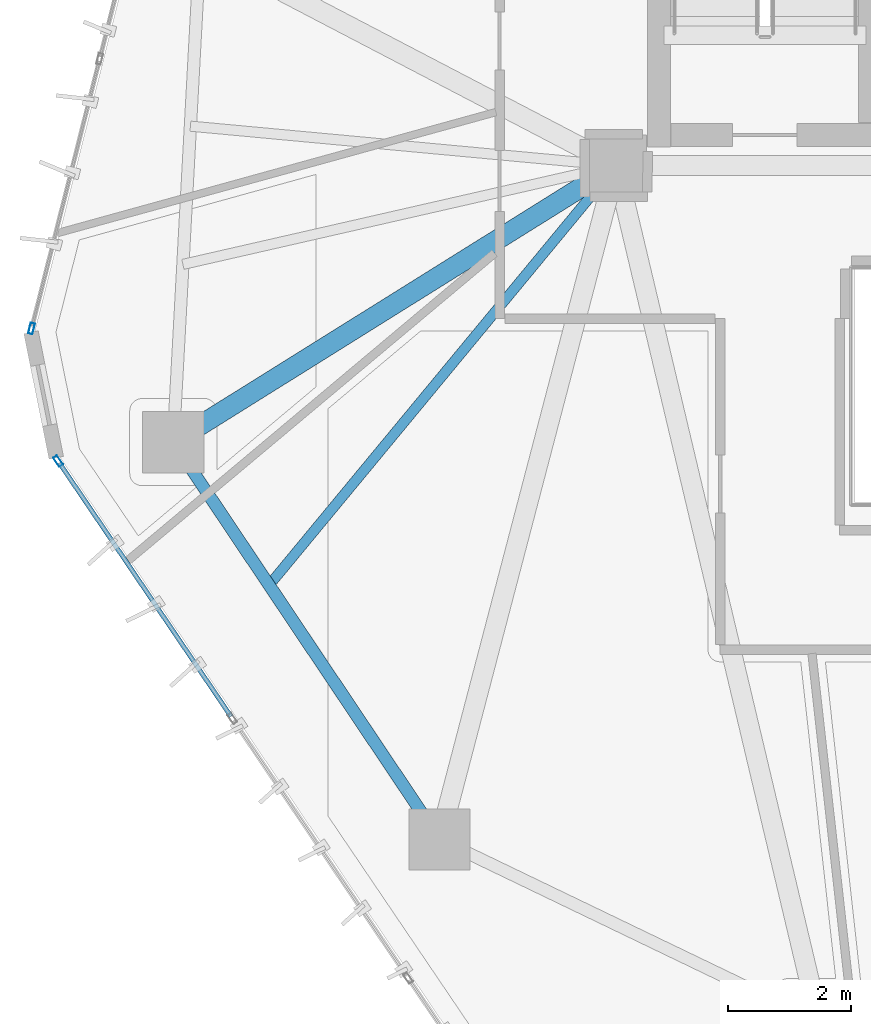
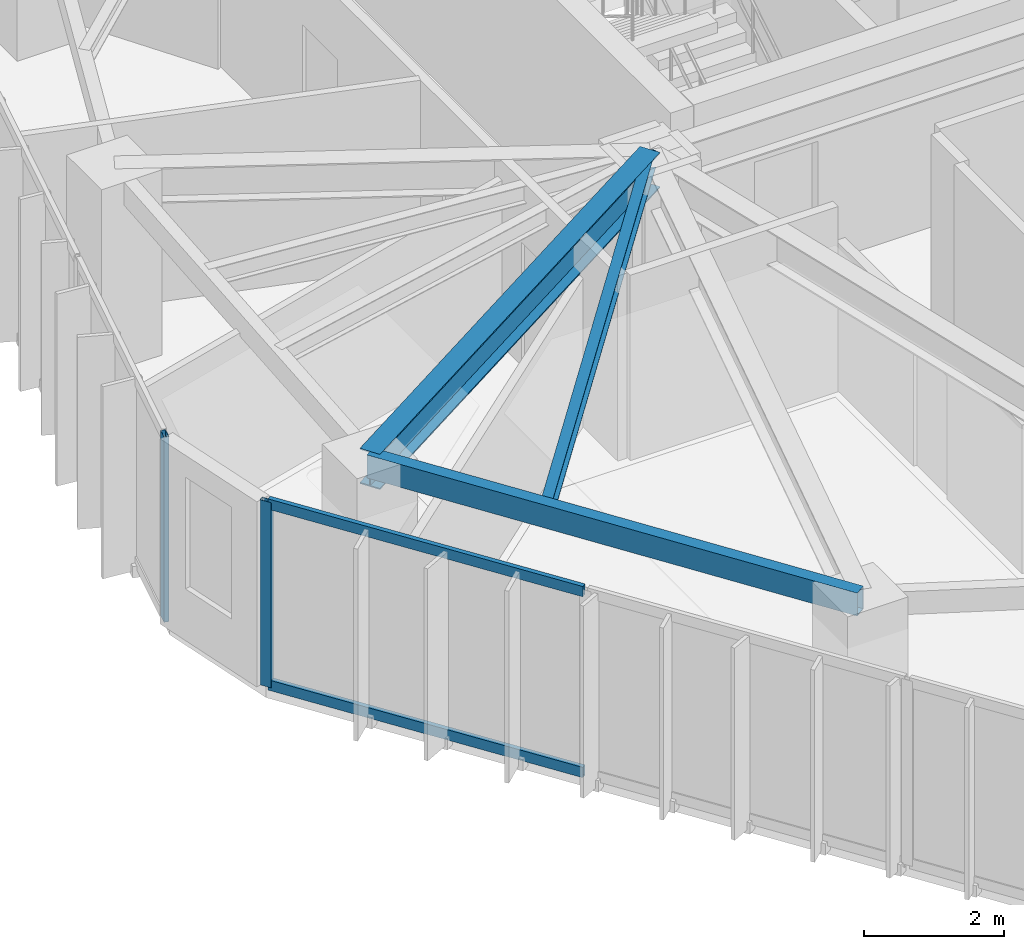
# One storey, part 3 of 21: 4 members, 3 beams, 2 elements without a shape of their own.
"""IFC4 building model written with IfcOpenShell, lengths in metres."""

from ifc_helpers import new_model, si_unit, direction, frame, origin, origin_2d, place, context, subcontext, project, spatial, hollow_rectangle, i_section, extrude, source, transform, mapped, material, layer, layer_set, material_profile, profile_set, type_object, type_shapes, element, aggregate, save


model = new_model("IFC4")

# Units and contexts
model_context = context("Model", 3, precision=1e-05, world=origin(), true_north=direction((0.0, 1.0)))
body_context = subcontext(model_context, "Body", "Model", "MODEL_VIEW")
ifc_project = project(units=[si_unit("LENGTHUNIT", "METRE"), si_unit("AREAUNIT", "SQUARE_METRE"), si_unit("VOLUMEUNIT", "CUBIC_METRE"), si_unit("PLANEANGLEUNIT", "RADIAN"), si_unit("MASSUNIT", "GRAM", prefix="KILO")], contexts=[model_context])

# Site, building, storey
site_placement = place(None, origin())
site = spatial("IfcSite", under=ifc_project, at=site_placement, CompositionType="ELEMENT")
building_placement = place(site_placement, origin())
building = spatial("IfcBuilding", under=site, at=building_placement, Name="Talar Marvaseh", CompositionType="ELEMENT")
storey_placement = place(building_placement, frame((0.0, 0.0, 184.5)))
storey = spatial("IfcBuildingStorey", under=building, at=storey_placement, Name="L48", CompositionType="ELEMENT", Elevation=184.5)

# Beams
ifc_material_1 = material(Name="Steel S355", Category="steel")
ifc_material_profile_1 = material_profile(ifc_material_1, hollow_rectangle(XDim=0.199951171875, YDim=0.39990234375, WallThickness=0.013916015625, at=origin_2d()), Name="RHS400x200x14")
ifc_profile_set_1 = profile_set([ifc_material_profile_1], Name="Steel S355")
beam_type_1 = type_object("IfcBeamType", Name="Zone 3 Perimeter Spandrel Beam RHS400x200x14", PredefinedType="SPANDREL", material=ifc_profile_set_1)
beam_1_placement = place(storey_placement, frame((15.819091796875, 14.5009765625, 3.030029296875), z_axis=(-0.556805579613, 0.830642851358, 0.0), x_axis=(-0.830642851358, -0.556805579613, 0.0)))
element("IfcBeam", 1, at=beam_1_placement, inside=storey, type_object=beam_type_1, Name="L48 Zone 3 Perimeter Spandrel Beam RHS400x200x14", PredefinedType="SPANDREL", context=body_context, shape_type="SweptSolid", body=[
    extrude(hollow_rectangle(XDim=0.199951171875, YDim=0.39990234375, WallThickness=0.013916015625, at=origin_2d()), origin(), (0.0, 0.0, 1.0), 7.807373046875),
])
ifc_material_profile_2 = material_profile(ifc_material_1, i_section(OverallWidth=0.324951171875, OverallDepth=0.615966796875, WebThickness=0.013916015625, FlangeThickness=0.021484375, at=origin_2d()), Name="W610x174")
ifc_profile_set_2 = profile_set([ifc_material_profile_2], Name="Steel S355")
beam_type_2 = type_object("IfcBeamType", Name="Zone 3 Radial Floor Girder W610x174", PredefinedType="BEAM", material=ifc_profile_set_2)
beam_2_placement = place(storey_placement, frame((11.471923828125, 20.986083984375, 2.922119140625), z_axis=(0.848188171212, 0.52969503133, 0.0), x_axis=(-0.52969503133, 0.848188171212, 0.0)))
element("IfcBeam", 2, at=beam_2_placement, inside=storey, type_object=beam_type_2, Name="L48 Zone 3 Radial Floor Girder W610x174", PredefinedType="BEAM", context=body_context, shape_type="SweptSolid", body=[
    extrude(i_section(OverallWidth=0.324951171875, OverallDepth=0.615966796875, WebThickness=0.013916015625, FlangeThickness=0.021484375, at=origin_2d()), origin(), (0.0, 0.0, 1.0), 8.521728515625),
])
ifc_material_profile_3 = material_profile(ifc_material_1, i_section(OverallWidth=0.166015625, OverallDepth=0.31298828125, WebThickness=0.006591796875, FlangeThickness=0.01123046875, at=origin_2d()), Name="W310x45")
ifc_profile_set_3 = profile_set([ifc_material_profile_3], Name="Steel S355")
beam_type_3 = type_object("IfcBeamType", Name="Zone 3 Secondary Floor Joist W310x45", PredefinedType="JOIST", material=ifc_profile_set_3)
beam_3_placement = place(storey_placement, frame((13.036865234375, 18.6513671875, 3.073486328125), z_axis=(0.637250554087, 0.770656688362, 0.0), x_axis=(-0.770656688362, 0.637250554087, 0.0)))
element("IfcBeam", 3, at=beam_3_placement, inside=storey, type_object=beam_type_3, Name="L48 Zone 3 Secondary Floor Joist W310x45", PredefinedType="JOIST", context=body_context, shape_type="SweptSolid", body=[
    extrude(i_section(OverallWidth=0.166015625, OverallDepth=0.31298828125, WebThickness=0.006591796875, FlangeThickness=0.01123046875, at=origin_2d()), origin(), (0.0, 0.0, 1.0), 8.88671875),
])

# Curtain wall, member
ifc_material_2 = material(Name="Architectural Aluminium", Category="aluminium")
ifc_layer = layer(ifc_material_2, 0.18994140625)
ifc_layer_set = layer_set([ifc_layer], Name="Architectural Aluminium")
curtain_wall_type = type_object("IfcCurtainWallType", Name="Unitised Solar Atelier Curtain Wall Z3", PredefinedType="NOTDEFINED", material=ifc_layer_set)
curtain_wall_1_placement = place(storey_placement, origin())
curtain_wall_1 = element("IfcCurtainWall", 4, at=curtain_wall_1_placement, inside=storey, type_object=curtain_wall_type, Name="L48 Unitised Solar Atelier Curtain Wall Z3", PredefinedType="NOTDEFINED")
ifc_material_profile_4 = material_profile(ifc_material_2, hollow_rectangle(XDim=0.074951171875, YDim=0.179931640625, WallThickness=0.0048828125, at=origin_2d()), Name="RHS180x75x5")
ifc_profile_set_4 = profile_set([ifc_material_profile_4], Name="Architectural Aluminium")
member_type_1 = type_object("IfcMemberType", Name="Unitised Curtain Wall Standard Mullion RHS180x75x5", PredefinedType="MULLION", material=ifc_profile_set_4)
shared_shape_1 = source(origin(), body_context, "Body", "SweptSolid", [
    extrude(hollow_rectangle(XDim=0.074951171875, YDim=0.179931640625, WallThickness=0.0048828125, at=origin_2d()), origin(), (0.0, 0.0, 1.0), 3.22998046875),
])
type_shapes(member_type_1, [shared_shape_1])
member_1_placement = place(storey_placement, frame((9.592041015625, 20.677734375, 0.0), z_axis=(0.0, 0.0, 1.0), x_axis=(-0.82809471268, -0.560588215031, 0.0)))
member_1 = element("IfcMember", 5, at=member_1_placement, type_object=member_type_1, Name="CW-Z3 mullion 4", PredefinedType="MULLION", context=body_context, shape_type="MappedRepresentation", body=[
    mapped(shared_shape_1, transform((0.0, 0.0, 0.0), x_axis=(1.0, 0.0, 0.0), y_axis=(0.0, 1.0, 0.0), z_axis=(0.0, 0.0, 1.0), scale=1.0)),
])

curtain_wall_2_placement = place(storey_placement, origin())
curtain_wall_2 = element("IfcCurtainWall", 6, at=curtain_wall_2_placement, inside=storey, type_object=curtain_wall_type, Name="L48 Unitised Solar Atelier Curtain Wall Z3", PredefinedType="NOTDEFINED")
member_2_placement = place(storey_placement, frame((9.15966796875, 22.841064453125, 0.0), z_axis=(0.0, 0.0, 1.0), x_axis=(-0.969522498884, 0.245002294189, 0.0)))
member_2 = element("IfcMember", 7, at=member_2_placement, type_object=member_type_1, Name="CW-Z3 mullion 1", PredefinedType="MULLION", context=body_context, shape_type="MappedRepresentation", body=[
    mapped(shared_shape_1, transform((0.0, 0.0, 0.0), x_axis=(1.0, 0.0, 0.0), y_axis=(0.0, 1.0, 0.0), z_axis=(0.0, 0.0, 1.0), scale=1.0)),
])
aggregate(curtain_wall_2, [member_2])

# Member
ifc_material_profile_5 = material_profile(ifc_material_2, hollow_rectangle(XDim=0.074951171875, YDim=0.179931640625, WallThickness=0.0048828125, at=origin_2d()), Name="RHS180x75x5")
ifc_profile_set_5 = profile_set([ifc_material_profile_5], Name="Architectural Aluminium")
member_type_2 = type_object("IfcMemberType", Name="Unitised Curtain Wall Transom RHS180x75x5", PredefinedType="USERDEFINED", material=ifc_profile_set_5)
shared_shape_2 = source(origin(), body_context, "Body", "SweptSolid", [
    extrude(hollow_rectangle(XDim=0.074951171875, YDim=0.179931640625, WallThickness=0.0048828125, at=origin_2d()), origin(), (0.0, 0.0, 1.0), 5.00048828125),
])
type_shapes(member_type_2, [shared_shape_2])
member_3_placement = place(storey_placement, frame((12.416259765625, 16.505615234375, 0.03759765625), z_axis=(-0.560590106195, 0.828093432431, 0.0), x_axis=(-0.828093432431, -0.560590106195, 0.0)))
member_3 = element("IfcMember", 8, at=member_3_placement, type_object=member_type_2, Name="CW-Z3 transom 3.1", ObjectType="TRANSOM", PredefinedType="USERDEFINED", context=body_context, shape_type="MappedRepresentation", body=[
    mapped(shared_shape_2, transform((0.0, 0.0, 0.0), x_axis=(1.0, 0.0, 0.0), y_axis=(0.0, 1.0, 0.0), z_axis=(0.0, 0.0, 1.0), scale=1.0)),
])

member_4_placement = place(storey_placement, frame((12.416259765625, 16.505615234375, 3.1923828125), z_axis=(-0.560590106195, 0.828093432431, 0.0), x_axis=(-0.828093432431, -0.560590106195, 0.0)))
member_4 = element("IfcMember", 9, at=member_4_placement, type_object=member_type_2, Name="CW-Z3 transom 3.2", ObjectType="TRANSOM", PredefinedType="USERDEFINED", context=body_context, shape_type="MappedRepresentation", body=[
    mapped(shared_shape_2, transform((0.0, 0.0, 0.0), x_axis=(1.0, 0.0, 0.0), y_axis=(0.0, 1.0, 0.0), z_axis=(0.0, 0.0, 1.0), scale=1.0)),
])

aggregate(curtain_wall_1, [member_1, member_3, member_4])

save(model, "model.ifc")
